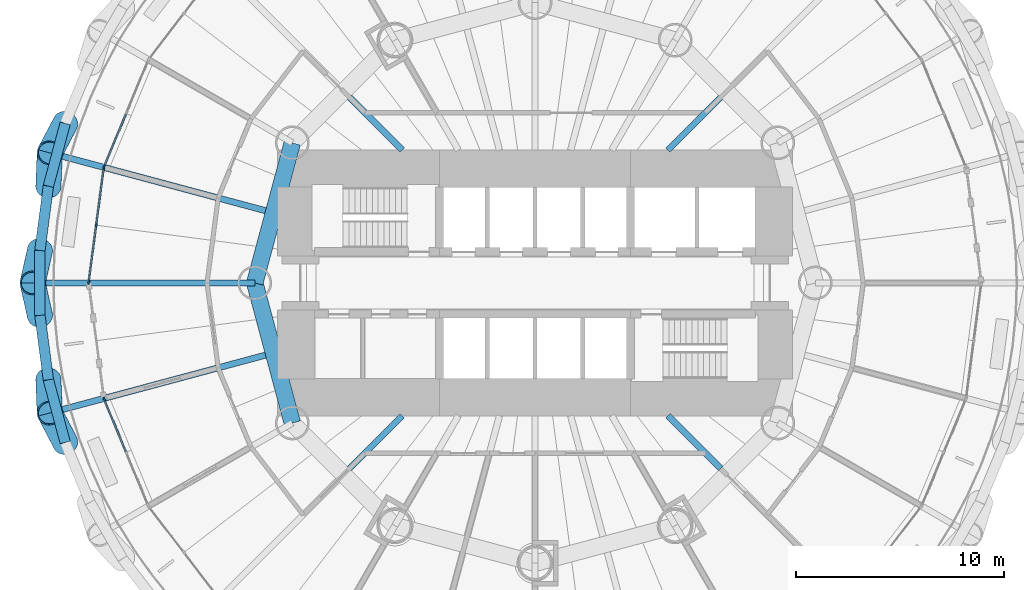
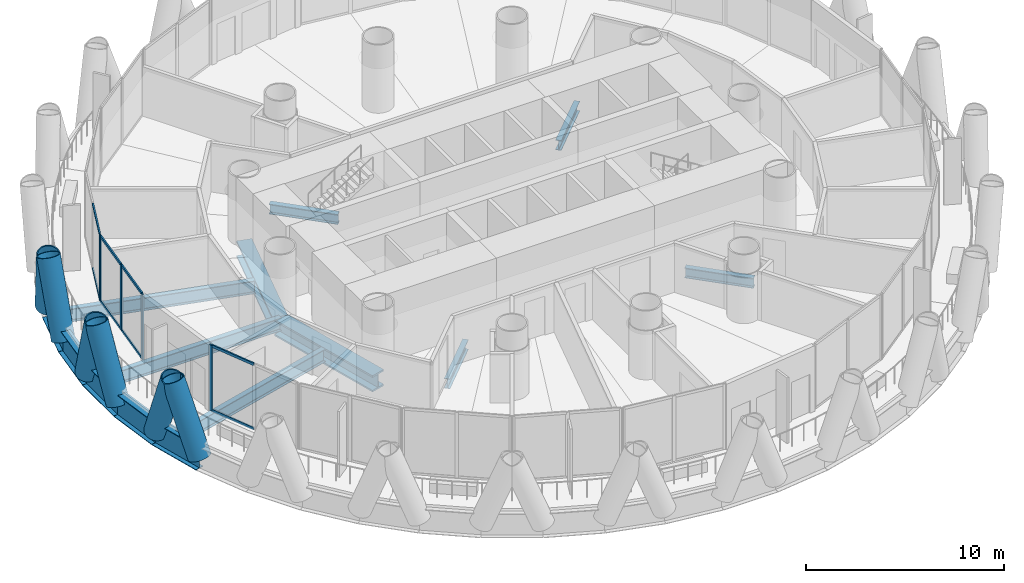
# One storey, part 3 of 16: 19 members, 14 beams, 3 elements without a shape of their own.
"""IFC4 building model written with IfcOpenShell, lengths in metres."""

from ifc_helpers import new_model, si_unit, direction, frame, origin, origin_2d, place, context, subcontext, project, spatial, rectangle, hollow_circle, i_section, extrude, material, material_profile, profile_set, type_object, element, aggregate, save


model = new_model("IFC4")

# Units and contexts
model_context = context("Model", 3, precision=1e-05, world=origin(), true_north=direction((0.0, 1.0)))
body_context = subcontext(model_context, "Body", "Model", "MODEL_VIEW")
ifc_project = project(units=[si_unit("LENGTHUNIT", "METRE"), si_unit("AREAUNIT", "SQUARE_METRE"), si_unit("VOLUMEUNIT", "CUBIC_METRE"), si_unit("PLANEANGLEUNIT", "RADIAN"), si_unit("MASSUNIT", "GRAM", prefix="KILO")], contexts=[model_context])

# Site, building, storey
site_placement = place(None, origin())
site = spatial("IfcSite", under=ifc_project, at=site_placement, CompositionType="ELEMENT")
building_placement = place(site_placement, origin())
building = spatial("IfcBuilding", under=site, at=building_placement, Name="Qaws Media Tower", CompositionType="ELEMENT")
storey_placement = place(building_placement, frame((0.0, 0.0, 38.60009765625)))
storey = spatial("IfcBuildingStorey", under=building, at=storey_placement, Name="L07", CompositionType="ELEMENT", Elevation=38.60009765625)

# Curtain wall, member
ifc_material_1 = material(Name="Aluminium and clear glass", Category="aluminium")
curtain_wall_type = type_object("IfcCurtainWallType", Name="Unitised curtain wall CW-A", PredefinedType="NOTDEFINED", material=ifc_material_1)
curtain_wall_1_placement = place(storey_placement, origin())
curtain_wall_1 = element("IfcCurtainWall", 1, at=curtain_wall_1_placement, inside=storey, type_object=curtain_wall_type, Name="CWA curtain wall L07-11", PredefinedType="NOTDEFINED")
ifc_material_2 = material(Name="Aluminium mullion", Category="aluminium")
ifc_material_profile_1 = material_profile(ifc_material_2, rectangle(XDim=0.080078125, YDim=0.199951171875, at=origin_2d()), Name="80x200")
ifc_profile_set_1 = profile_set([ifc_material_profile_1], Name="Aluminium mullion")
member_type_1 = type_object("IfcMemberType", Name="Curtain wall mullion 80x200", PredefinedType="MULLION", material=ifc_profile_set_1)
member_1_placement = place(storey_placement, frame((39.247802734375, 55.6015625, 0.0), z_axis=(0.0, 0.0, 1.0), x_axis=(0.923879550051, -0.382683390022, 0.0)))
member_1 = element("IfcMember", 2, at=member_1_placement, type_object=member_type_1, Name="CWA mullion 3", PredefinedType="MULLION", context=body_context, shape_type="SweptSolid", body=[
    extrude(rectangle(XDim=0.080078125, YDim=0.199951171875, at=origin_2d()), origin(), (0.0, 0.0, 1.0), 4.039794921875),
])

# Curtain wall, members
curtain_wall_2_placement = place(storey_placement, origin())
curtain_wall_2 = element("IfcCurtainWall", 3, at=curtain_wall_2_placement, inside=storey, type_object=curtain_wall_type, Name="CWA curtain wall L07-12", PredefinedType="NOTDEFINED")
member_2_placement = place(storey_placement, frame((39.227294921875, 55.52490234375, 0.0), z_axis=(0.0, 0.0, 1.0), x_axis=(0.991444853833, -0.130526249496, 0.0)))
member_2 = element("IfcMember", 4, at=member_2_placement, type_object=member_type_1, Name="CWA mullion 1", PredefinedType="MULLION", context=body_context, shape_type="SweptSolid", body=[
    extrude(rectangle(XDim=0.080078125, YDim=0.199951171875, at=origin_2d()), origin(), (0.0, 0.0, 1.0), 4.039794921875),
])
member_3_placement = place(storey_placement, frame((38.8662109375, 52.7822265625, 0.0), z_axis=(0.0, 0.0, 1.0), x_axis=(0.991444853833, -0.130526249496, 0.0)))
member_3 = element("IfcMember", 5, at=member_3_placement, type_object=member_type_1, Name="CWA mullion 2", PredefinedType="MULLION", context=body_context, shape_type="SweptSolid", body=[
    extrude(rectangle(XDim=0.080078125, YDim=0.199951171875, at=origin_2d()), origin(), (0.0, 0.0, 1.0), 4.039794921875),
])
member_4_placement = place(storey_placement, frame((38.505126953125, 50.03955078125, 0.0), z_axis=(0.0, 0.0, 1.0), x_axis=(0.991444853833, -0.130526249496, 0.0)))
member_4 = element("IfcMember", 6, at=member_4_placement, type_object=member_type_1, Name="CWA mullion 3", PredefinedType="MULLION", context=body_context, shape_type="SweptSolid", body=[
    extrude(rectangle(XDim=0.080078125, YDim=0.199951171875, at=origin_2d()), origin(), (0.0, 0.0, 1.0), 4.039794921875),
])

# Curtain wall, member
curtain_wall_3_placement = place(storey_placement, origin())
curtain_wall_3 = element("IfcCurtainWall", 7, at=curtain_wall_3_placement, inside=storey, type_object=curtain_wall_type, Name="CWA curtain wall L07-14", PredefinedType="NOTDEFINED")
member_5_placement = place(storey_placement, frame((39.247802734375, 44.3984375, 0.0), z_axis=(0.0, 0.0, 1.0), x_axis=(0.923879550051, 0.382683390022, 0.0)))
member_5 = element("IfcMember", 8, at=member_5_placement, type_object=member_type_1, Name="CWA mullion 1", PredefinedType="MULLION", context=body_context, shape_type="SweptSolid", body=[
    extrude(rectangle(XDim=0.080078125, YDim=0.199951171875, at=origin_2d()), origin(), (0.0, 0.0, 1.0), 4.039794921875),
])

# Member
ifc_material_3 = material(Name="Aluminium transom", Category="aluminium")
ifc_material_profile_2 = material_profile(ifc_material_3, rectangle(XDim=0.080078125, YDim=0.159912109375, at=origin_2d()), Name="80x160")
ifc_profile_set_2 = profile_set([ifc_material_profile_2], Name="Aluminium transom")
member_type_2 = type_object("IfcMemberType", Name="Curtain wall transom 80x160", PredefinedType="USERDEFINED", material=ifc_profile_set_2)
member_6_placement = place(storey_placement, frame((40.291259765625, 58.120361328125, 0.039794921875), z_axis=(-0.382691571386, -0.923876161176, 0.0), x_axis=(0.923876161176, -0.382691571386, 0.0)))
member_6 = element("IfcMember", 9, at=member_6_placement, type_object=member_type_2, Name="CWA transom 2.1", ObjectType="TRANSOM", PredefinedType="USERDEFINED", context=body_context, shape_type="SweptSolid", body=[
    extrude(rectangle(XDim=0.080078125, YDim=0.159912109375, at=origin_2d()), origin(), (0.0, 0.0, 1.0), 2.6865234375),
])

member_7_placement = place(storey_placement, frame((40.291259765625, 58.120361328125, 4.0), z_axis=(-0.382691571386, -0.923876161176, 0.0), x_axis=(0.923876161176, -0.382691571386, 0.0)))
member_7 = element("IfcMember", 10, at=member_7_placement, type_object=member_type_2, Name="CWA transom 2.2", ObjectType="TRANSOM", PredefinedType="USERDEFINED", context=body_context, shape_type="SweptSolid", body=[
    extrude(rectangle(XDim=0.080078125, YDim=0.159912109375, at=origin_2d()), origin(), (0.0, 0.0, 1.0), 2.6865234375),
])

aggregate(curtain_wall_1, [member_1, member_6, member_7])

member_8_placement = place(storey_placement, frame((39.22216796875, 55.4853515625, 0.039794921875), z_axis=(-0.130508584607, -0.991447179301, 0.0), x_axis=(0.991447179301, -0.130508584607, 0.0)))
member_8 = element("IfcMember", 11, at=member_8_placement, type_object=member_type_2, Name="CWA transom 1.1", ObjectType="TRANSOM", PredefinedType="USERDEFINED", context=body_context, shape_type="SweptSolid", body=[
    extrude(rectangle(XDim=0.080078125, YDim=0.159912109375, at=origin_2d()), origin(), (0.0, 0.0, 1.0), 2.686279296875),
])

member_9_placement = place(storey_placement, frame((39.22216796875, 55.4853515625, 4.0), z_axis=(-0.130508584607, -0.991447179301, 0.0), x_axis=(0.991447179301, -0.130508584607, 0.0)))
member_9 = element("IfcMember", 12, at=member_9_placement, type_object=member_type_2, Name="CWA transom 1.2", ObjectType="TRANSOM", PredefinedType="USERDEFINED", context=body_context, shape_type="SweptSolid", body=[
    extrude(rectangle(XDim=0.080078125, YDim=0.159912109375, at=origin_2d()), origin(), (0.0, 0.0, 1.0), 2.686279296875),
])

member_10_placement = place(storey_placement, frame((38.861083984375, 52.74267578125, 0.039794921875), z_axis=(-0.130508584607, -0.991447179301, 0.0), x_axis=(0.991447179301, -0.130508584607, 0.0)))
member_10 = element("IfcMember", 13, at=member_10_placement, type_object=member_type_2, Name="CWA transom 2.1", ObjectType="TRANSOM", PredefinedType="USERDEFINED", context=body_context, shape_type="SweptSolid", body=[
    extrude(rectangle(XDim=0.080078125, YDim=0.159912109375, at=origin_2d()), origin(), (0.0, 0.0, 1.0), 2.686279296875),
])

member_11_placement = place(storey_placement, frame((38.861083984375, 52.74267578125, 4.0), z_axis=(-0.130508584607, -0.991447179301, 0.0), x_axis=(0.991447179301, -0.130508584607, 0.0)))
member_11 = element("IfcMember", 14, at=member_11_placement, type_object=member_type_2, Name="CWA transom 2.2", ObjectType="TRANSOM", PredefinedType="USERDEFINED", context=body_context, shape_type="SweptSolid", body=[
    extrude(rectangle(XDim=0.080078125, YDim=0.159912109375, at=origin_2d()), origin(), (0.0, 0.0, 1.0), 2.686279296875),
])

aggregate(curtain_wall_2, [member_2, member_3, member_4, member_8, member_9, member_10, member_11])

member_12_placement = place(storey_placement, frame((39.26318359375, 44.361572265625, 0.039794921875), z_axis=(0.382691571386, -0.923876161176, 0.0), x_axis=(0.923876161176, 0.382691571386, 0.0)))
member_12 = element("IfcMember", 15, at=member_12_placement, type_object=member_type_2, Name="CWA transom 1.1", ObjectType="TRANSOM", PredefinedType="USERDEFINED", context=body_context, shape_type="SweptSolid", body=[
    extrude(rectangle(XDim=0.080078125, YDim=0.159912109375, at=origin_2d()), origin(), (0.0, 0.0, 1.0), 2.6865234375),
])

member_13_placement = place(storey_placement, frame((39.26318359375, 44.361572265625, 4.0), z_axis=(0.382691571386, -0.923876161176, 0.0), x_axis=(0.923876161176, 0.382691571386, 0.0)))
member_13 = element("IfcMember", 16, at=member_13_placement, type_object=member_type_2, Name="CWA transom 1.2", ObjectType="TRANSOM", PredefinedType="USERDEFINED", context=body_context, shape_type="SweptSolid", body=[
    extrude(rectangle(XDim=0.080078125, YDim=0.159912109375, at=origin_2d()), origin(), (0.0, 0.0, 1.0), 2.6865234375),
])

aggregate(curtain_wall_3, [member_5, member_12, member_13])

# Members
ifc_material_4 = material(Name="Steel S460", Category="steel")
ifc_material_profile_3 = material_profile(ifc_material_4, hollow_circle(Radius=0.609619140625, WallThickness=0.06005859375, at=origin_2d()), Name="CHS 1219x60")
ifc_profile_set_3 = profile_set([ifc_material_profile_3], Name="Steel S460")
member_type_3 = type_object("IfcMemberType", Name="Diagrid member CHS 1219x60", PredefinedType="USERDEFINED", material=ifc_profile_set_3)
for number, where, z_axis, x_axis, name in (
    (17, (37.368408203125, 57.682373046875, -0.91015625), (-0.165488673092, -0.315661361343, 0.934329387333), (0.885667434492, -0.464320143307, 0.0), "DG1 diagrid L07 A11"),
    (18, (36.151123046875, 51.563232421875, -0.91015625), (-0.078100349279, -0.347758370258, 0.934325666648), (0.975696974085, -0.219124199396, 0.0), "DG1 diagrid L07 A12"),
    (19, (36.559326171875, 54.66259765625, -0.91015625), (0.014501262342, 0.356122760957, 0.934326651936), (-0.999171976829, 0.040686124419, 0.0), "DG1 diagrid L07 B12"),
    (20, (36.559326171875, 45.33740234375, -0.91015625), (0.014501262342, -0.356122760957, 0.934326651936), (0.999171976829, 0.040686124419, 0.0), "DG1 diagrid L07 A13"),
    (21, (36.151123046875, 48.436767578125, -0.91015625), (-0.078100349279, 0.347758370258, 0.934325666648), (-0.975696974085, -0.219124199396, 0.0), "DG1 diagrid L07 B13"),
    (22, (37.368408203125, 42.317626953125, -0.91015625), (-0.165488673092, 0.315661361343, 0.934329387333), (-0.885667434492, -0.464320143307, 0.0), "DG1 diagrid L07 B14"),
):
    element("IfcMember", number, at=place(storey_placement, frame(where, z_axis=z_axis, x_axis=x_axis)), inside=storey, type_object=member_type_3, Name=name, ObjectType="DIAGRID", PredefinedType="USERDEFINED", context=body_context, shape_type="SweptSolid", body=[
        extrude(hollow_circle(Radius=0.609619140625, WallThickness=0.06005859375, at=origin_2d()), origin(), (0.0, 0.0, 1.0), 4.4951171875),
    ])

# Beams
ifc_material_5 = material(Name="Steel S460", Category="steel")
ifc_material_profile_4 = material_profile(ifc_material_5, i_section(OverallWidth=0.5, OverallDepth=1.5, WebThickness=0.02001953125, FlangeThickness=0.0400390625, at=origin_2d()), Name="PG 1500x500")
ifc_profile_set_4 = profile_set([ifc_material_profile_4], Name="Steel S460")
beam_type_1 = type_object("IfcBeamType", Name="Edge ring beam PG 1500x500", PredefinedType="BEAM", material=ifc_profile_set_4)
for number, where, z_axis, x_axis, name in (
    (23, (37.368408203125, 57.682373046875, -0.91015625), (-0.258799841546, -0.965930971662, 0.0), (0.965930971662, -0.258799841546, 0.0), "RB4 edge ring beam L07-22"),
    (24, (36.559326171875, 54.66259765625, -0.91015625), (-0.130577743855, -0.991438073109, 0.0), (0.991438073109, -0.130577743855, 0.0), "RB4 edge ring beam L07-23"),
):
    element("IfcBeam", number, at=place(storey_placement, frame(where, z_axis=z_axis, x_axis=x_axis)), inside=storey, type_object=beam_type_1, Name=name, PredefinedType="BEAM", context=body_context, shape_type="SweptSolid", body=[
        extrude(i_section(OverallWidth=0.5, OverallDepth=1.5, WebThickness=0.02001953125, FlangeThickness=0.0400390625, at=origin_2d()), origin(), (0.0, 0.0, 1.0), 3.126220703125),
    ])
beam_1_placement = place(storey_placement, frame((36.151123046875, 51.563232421875, -0.91015625), z_axis=(0.0, -1.0, 0.0), x_axis=(1.0, 0.0, 0.0)))
element("IfcBeam", 25, at=beam_1_placement, inside=storey, type_object=beam_type_1, Name="RB4 edge ring beam L07-24", PredefinedType="BEAM", context=body_context, shape_type="SweptSolid", body=[
    extrude(i_section(OverallWidth=0.5, OverallDepth=1.5, WebThickness=0.02001953125, FlangeThickness=0.0400390625, at=origin_2d()), origin(), (0.0, 0.0, 1.0), 3.12646484375),
])
for number, where, z_axis, x_axis, name in (
    (26, (36.151123046875, 48.436767578125, -0.91015625), (0.130577743855, -0.991438073109, 0.0), (0.991438073109, 0.130577743855, 0.0), "RB4 edge ring beam L07-25"),
    (27, (36.559326171875, 45.33740234375, -0.91015625), (0.258799841546, -0.965930971662, 0.0), (0.965930971662, 0.258799841546, 0.0), "RB4 edge ring beam L07-26"),
):
    element("IfcBeam", number, at=place(storey_placement, frame(where, z_axis=z_axis, x_axis=x_axis)), inside=storey, type_object=beam_type_1, Name=name, PredefinedType="BEAM", context=body_context, shape_type="SweptSolid", body=[
        extrude(i_section(OverallWidth=0.5, OverallDepth=1.5, WebThickness=0.02001953125, FlangeThickness=0.0400390625, at=origin_2d()), origin(), (0.0, 0.0, 1.0), 3.126220703125),
    ])
ifc_material_6 = material(Name="Steel S460", Category="steel")
ifc_material_profile_5 = material_profile(ifc_material_6, i_section(OverallWidth=0.800048828125, OverallDepth=1.0, WebThickness=0.0400390625, FlangeThickness=0.10009765625, at=origin_2d()), Name="PG 1000x800")
ifc_profile_set_5 = profile_set([ifc_material_profile_5], Name="Steel S460")
beam_type_2 = type_object("IfcBeamType", Name="Inner ring girder PG 1000x800", PredefinedType="BEAM", material=ifc_profile_set_5)
for number, where, z_axis, x_axis, name in (
    (28, (48.30859375, 56.75, -0.66015625), (-0.258810593767, -0.965928090778, 0.0), (0.965928090778, -0.258810593767, 0.0), "B3 inner ring beam L07 I06-I07"),
    (29, (46.5, 50.0, -0.66015625), (0.258810593767, -0.965928090778, 0.0), (0.965928090778, 0.258810593767, 0.0), "B3 inner ring beam L07 I07-I08"),
):
    element("IfcBeam", number, at=place(storey_placement, frame(where, z_axis=z_axis, x_axis=x_axis)), inside=storey, type_object=beam_type_2, Name=name, PredefinedType="BEAM", context=body_context, shape_type="SweptSolid", body=[
        extrude(i_section(OverallWidth=0.800048828125, OverallDepth=1.0, WebThickness=0.0400390625, FlangeThickness=0.10009765625, at=origin_2d()), origin(), (0.0, 0.0, 1.0), 6.988037109375),
    ])
ifc_material_7 = material(Name="Steel S355", Category="steel")
ifc_material_profile_6 = material_profile(ifc_material_7, i_section(OverallWidth=0.304931640625, OverallDepth=0.6201171875, WebThickness=0.02099609375, FlangeThickness=0.0400390625, FilletRadius=0.027099609375, at=origin_2d()), Name="HE 600 M")
ifc_profile_set_6 = profile_set([ifc_material_profile_6], Name="Steel S355")
beam_type_3 = type_object("IfcBeamType", Name="Radial beam HE 600 M, core side", PredefinedType="BEAM", material=ifc_profile_set_6)
for number, where, z_axis, x_axis, name in (
    (30, (66.39990234375, 56.39990234375, -0.47021484375), (0.707106781187, 0.707106781187, 0.0), (-0.707106781187, 0.707106781187, 0.0), "B2 radial beam L07 04"),
    (31, (53.60009765625, 56.39990234375, -0.47021484375), (-0.707106781187, 0.707106781187, 0.0), (-0.707106781187, -0.707106781187, 0.0), "B2 radial beam L07 10"),
    (32, (53.60009765625, 43.60009765625, -0.47021484375), (-0.707106781187, -0.707106781187, 0.0), (0.707106781187, -0.707106781187, 0.0), "B2 radial beam L07 16"),
    (33, (66.39990234375, 43.60009765625, -0.47021484375), (0.707106781187, -0.707106781187, 0.0), (0.707106781187, 0.707106781187, 0.0), "B2 radial beam L07 22"),
):
    element("IfcBeam", number, at=place(storey_placement, frame(where, z_axis=z_axis, x_axis=x_axis)), inside=storey, type_object=beam_type_3, Name=name, PredefinedType="BEAM", context=body_context, shape_type="SweptSolid", body=[
        extrude(i_section(OverallWidth=0.304931640625, OverallDepth=0.6201171875, WebThickness=0.02099609375, FlangeThickness=0.0400390625, FilletRadius=0.027099609375, at=origin_2d()), origin(), (0.0, 0.0, 1.0), 3.589111328125),
    ])
ifc_material_8 = material(Name="Steel S355", Category="steel")
ifc_material_profile_7 = material_profile(ifc_material_8, i_section(OverallWidth=0.300048828125, OverallDepth=0.800048828125, WebThickness=0.017578125, FlangeThickness=0.032958984375, FilletRadius=0.030029296875, at=origin_2d()), Name="HE 800 B")
ifc_profile_set_7 = profile_set([ifc_material_profile_7], Name="Steel S355")
beam_type_4 = type_object("IfcBeamType", Name="Radial beam HE 800 B", PredefinedType="BEAM", material=ifc_profile_set_7)
beam_2_placement = place(storey_placement, frame((47.01806640625, 53.478515625, -0.56005859375), z_axis=(-0.965923971224, 0.258825968201, 0.0), x_axis=(-0.258825968201, -0.965923971224, 0.0)))
element("IfcBeam", 34, at=beam_2_placement, inside=storey, type_object=beam_type_4, Name="B1 radial beam L07 12", PredefinedType="BEAM", context=body_context, shape_type="SweptSolid", body=[
    extrude(i_section(OverallWidth=0.300048828125, OverallDepth=0.800048828125, WebThickness=0.017578125, FlangeThickness=0.032958984375, FilletRadius=0.030029296875, at=origin_2d()), origin(), (0.0, 0.0, 1.0), 10.408935546875),
])
beam_3_placement = place(storey_placement, frame((46.5, 50.0, -0.56005859375), z_axis=(-1.0, 0.0, 0.0), x_axis=(0.0, -1.0, 0.0)))
element("IfcBeam", 35, at=beam_3_placement, inside=storey, type_object=beam_type_4, Name="B1 radial beam L07 13", PredefinedType="BEAM", context=body_context, shape_type="SweptSolid", body=[
    extrude(i_section(OverallWidth=0.300048828125, OverallDepth=0.800048828125, WebThickness=0.017578125, FlangeThickness=0.032958984375, FilletRadius=0.030029296875, at=origin_2d()), origin(), (0.0, 0.0, 1.0), 10.348876953125),
])
beam_4_placement = place(storey_placement, frame((47.01806640625, 46.521484375, -0.56005859375), z_axis=(-0.965923971224, -0.258825968201, 0.0), x_axis=(0.258825968201, -0.965923971224, 0.0)))
element("IfcBeam", 36, at=beam_4_placement, inside=storey, type_object=beam_type_4, Name="B1 radial beam L07 14", PredefinedType="BEAM", context=body_context, shape_type="SweptSolid", body=[
    extrude(i_section(OverallWidth=0.300048828125, OverallDepth=0.800048828125, WebThickness=0.017578125, FlangeThickness=0.032958984375, FilletRadius=0.030029296875, at=origin_2d()), origin(), (0.0, 0.0, 1.0), 10.408935546875),
])

save(model, "model.ifc")
